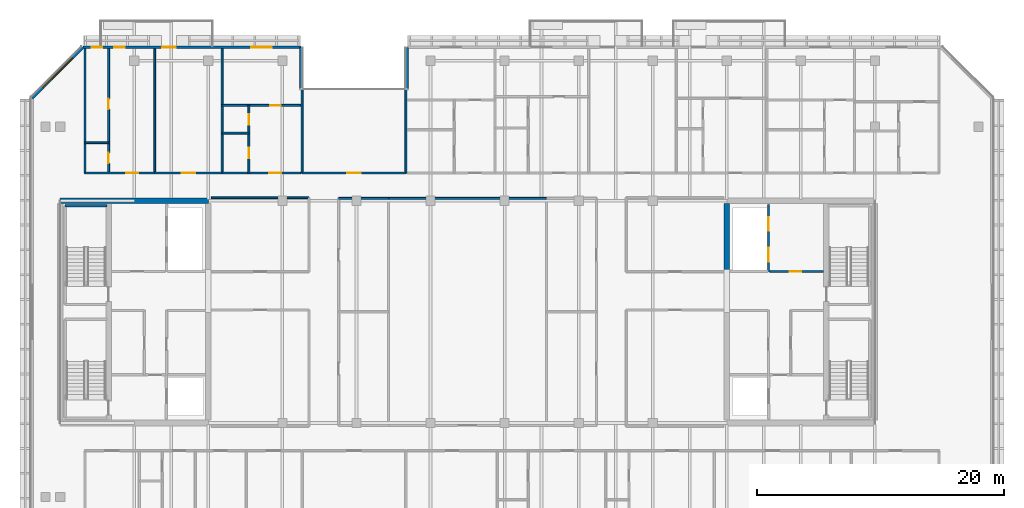
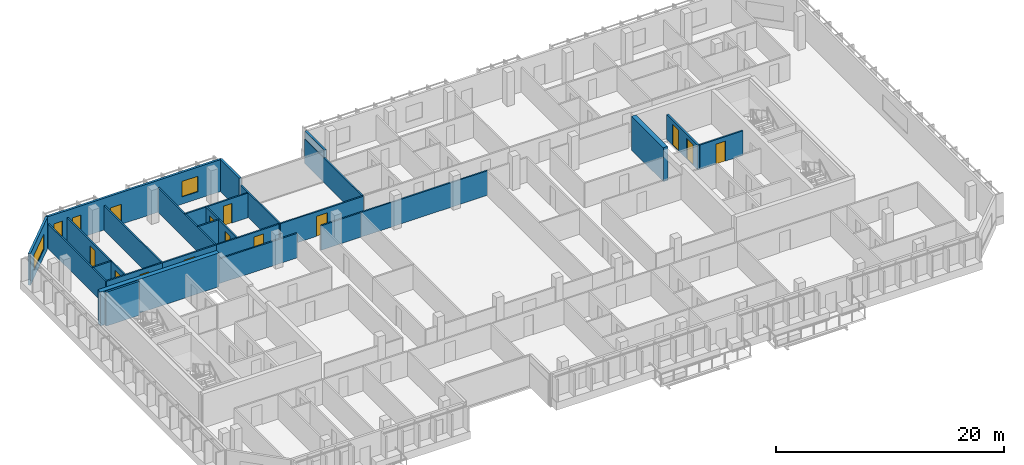
# One storey, part 9 of 17: 26 walls, 13 doors, 4 windows, 17 openings.
"""IFC4 building model written with IfcOpenShell, lengths in metres."""

from ifc_helpers import new_model, si_unit, direction, frame, frame_2d, origin, place, context, subcontext, project, spatial, rectangle, extrude, material, layer, layer_set, type_object, element, fill, save


model = new_model("IFC4")

# Units and contexts
model_context = context("Model", 3, precision=1e-05, world=origin(), true_north=direction((0.0, 1.0)))
body_context = subcontext(model_context, "Body", "Model", "MODEL_VIEW")
ifc_project = project(units=[si_unit("LENGTHUNIT", "METRE"), si_unit("AREAUNIT", "SQUARE_METRE"), si_unit("VOLUMEUNIT", "CUBIC_METRE"), si_unit("PLANEANGLEUNIT", "RADIAN"), si_unit("MASSUNIT", "GRAM", prefix="KILO")], contexts=[model_context])

# Site, building, storey
site_placement = place(None, origin())
site = spatial("IfcSite", under=ifc_project, at=site_placement, CompositionType="ELEMENT")
building_placement = place(site_placement, origin())
building = spatial("IfcBuilding", under=site, at=building_placement, Name="Tanjung Sevakor Pilgrim Tower", CompositionType="ELEMENT")
storey_placement = place(building_placement, frame((0.0, 0.0, 219.1201171875)))
storey = spatial("IfcBuildingStorey", under=building, at=storey_placement, Name="L61", CompositionType="ELEMENT", Elevation=219.1201171875)

# Walls
ifc_material_1 = material(Name="Concrete C60/75", Category="concrete")
ifc_layer_1 = layer(ifc_material_1, 0.449951171875)
ifc_layer_set_1 = layer_set([ifc_layer_1], Name="WALL-CW-450")
wall_type_1 = type_object("IfcWallType", Name="WALL-CW-450", PredefinedType="SHEAR", material=ifc_layer_set_1)
wall_1_placement = place(storey_placement, frame((36.0, 42.60009765625, 0.0), z_axis=(0.0, 0.0, 1.0), x_axis=(-1.0, 0.0, 0.0)))
element("IfcWall", 1, at=wall_1_placement, inside=storey, type_object=wall_type_1, Name="L61 W Core North Shear Wall", PredefinedType="SHEAR", context=body_context, shape_type="SweptSolid", body=[
    extrude(rectangle(XDim=12.0, YDim=0.449951171875, at=frame_2d((6.0, 0.0))), origin(), (0.0, 0.0, 1.0), 3.6298828125),
])
wall_2_placement = place(storey_placement, frame((78.0, 36.800048828125, 0.0), z_axis=(0.0, 0.0, 1.0), x_axis=(0.0, 1.0, 0.0)))
element("IfcWall", 2, at=wall_2_placement, inside=storey, type_object=wall_type_1, Name="L61 E Core Inner Shear Wall North", PredefinedType="SHEAR", context=body_context, shape_type="SweptSolid", body=[
    extrude(rectangle(XDim=5.574951171875, YDim=0.449951171875, at=frame_2d((2.78759765625, 0.0))), origin(), (0.0, 0.0, 1.0), 3.6298828125),
])

# Wall, opening, door
ifc_material_2 = material(Name="Concrete C40/50", Category="concrete")
ifc_layer_2 = layer(ifc_material_2, 0.14990234375)
ifc_layer_set_2 = layer_set([ifc_layer_2], Name="WT-COMP-150")
wall_type_2 = type_object("IfcWallType", Name="WT-COMP-150", PredefinedType="SOLIDWALL", material=ifc_layer_set_2)
wall_3_placement = place(storey_placement, frame((81.5, 36.8798828125, 0.0), z_axis=(0.0, 0.0, 1.0), x_axis=(1.0, 0.0, 0.0)))
wall_3 = element("IfcWall", 3, at=wall_3_placement, inside=storey, type_object=wall_type_2, Name="L61 Partition IW-L61-016", PredefinedType="SOLIDWALL", context=body_context, shape_type="SweptSolid", body=[
    extrude(rectangle(XDim=4.330078125, YDim=0.14990234375, at=frame_2d((2.1650390625, 0.0))), origin(), (0.0, 0.0, 1.0), 2.6298828125),
])
opening_1_placement = place(wall_3_placement, frame((1.60009765625, 0.0, 0.0)))
opening_1 = element("IfcOpeningElement", 4, at=opening_1_placement, cuts=wall_3, Name="Opening ID-FD2", PredefinedType="OPENING", context=body_context, shape_type="SweptSolid", body=[
    extrude(rectangle(XDim=0.949951171875, YDim=2.14990234375, at=frame_2d((0.47509765625, 1.074951171875))), frame((0.0, 0.0849609375, 0.0), z_axis=(0.0, -1.0, 0.0), x_axis=(1.0, 0.0, 0.0)), (0.0, 0.0, 1.0), 0.169921875),
])
ifc_material_3 = material(Name="Fire-Rated Timber", Category="wood")
door_type_1 = type_object("IfcDoorType", Name="DT-FIRE-950", OperationType="NOTDEFINED", PredefinedType="DOOR", material=ifc_material_3)
door_1_placement = place(opening_1_placement, origin())
door_1 = element("IfcDoor", 5, at=door_1_placement, inside=storey, type_object=door_type_1, Name="L61 Core Prayer Room Door", OperationType="SINGLE_SWING_LEFT", OverallHeight=2.14990234375, OverallWidth=0.949951171875, PredefinedType="DOOR", context=body_context, shape_type="SweptSolid", body=[
    extrude(rectangle(XDim=0.949951171875, YDim=2.14990234375, at=frame_2d((0.47509765625, 1.074951171875))), frame((0.0, 0.02490234375, 0.0), z_axis=(0.0, -1.0, 0.0), x_axis=(1.0, 0.0, 0.0)), (0.0, 0.0, 1.0), 0.050048828125),
])
fill(opening_1, door_1)

# Walls
wall_4_placement = place(storey_placement, frame((36.2451171875, 42.85009765625, 0.0), z_axis=(0.0, 0.0, 1.0), x_axis=(1.0, 0.0, 0.0)))
element("IfcWall", 6, at=wall_4_placement, inside=storey, type_object=wall_type_2, Name="L61 Partition IW-L61-023", PredefinedType="SOLIDWALL", context=body_context, shape_type="SweptSolid", body=[
    extrude(rectangle(XDim=7.90478515625, YDim=0.14990234375, at=frame_2d((3.952392578125, 0.0))), origin(), (0.0, 0.0, 1.0), 2.6298828125),
])
wall_5_placement = place(storey_placement, frame((46.550048828125, 42.800048828125, 0.0), z_axis=(0.0, 0.0, 1.0), x_axis=(1.0, 0.0, 0.0)))
element("IfcWall", 7, at=wall_5_placement, inside=storey, type_object=wall_type_2, Name="L61 Partition IW-L61-034", PredefinedType="SOLIDWALL", context=body_context, shape_type="SweptSolid", body=[
    extrude(rectangle(XDim=4.050048828125, YDim=0.14990234375, at=frame_2d((2.02490234375, 0.0))), origin(), (0.0, 0.0, 1.0), 2.6298828125),
])
wall_6_placement = place(storey_placement, frame((50.60009765625, 42.800048828125, 0.0), z_axis=(0.0, 0.0, 1.0), x_axis=(1.0, 0.0, 0.0)))
element("IfcWall", 8, at=wall_6_placement, inside=storey, type_object=wall_type_2, Name="L61 Partition IW-L61-037", PredefinedType="SOLIDWALL", context=body_context, shape_type="SweptSolid", body=[
    extrude(rectangle(XDim=12.7998046875, YDim=0.14990234375, at=frame_2d((6.39990234375, 0.0))), origin(), (0.0, 0.0, 1.0), 2.6298828125),
])

# Wall, opening, door
wall_7_placement = place(storey_placement, frame((43.60009765625, 44.85009765625, 0.0), z_axis=(0.0, 0.0, 1.0), x_axis=(1.0, 0.0, 0.0)))
wall_7 = element("IfcWall", 9, at=wall_7_placement, inside=storey, type_object=wall_type_2, Name="L61 Partition IW-L61-048", PredefinedType="SOLIDWALL", context=body_context, shape_type="SweptSolid", body=[
    extrude(rectangle(XDim=8.39990234375, YDim=0.14990234375, at=frame_2d((4.199951171875, 0.0))), origin(), (0.0, 0.0, 1.0), 2.6298828125),
])
opening_2_placement = place(wall_7_placement, frame((3.64990234375, 0.0, 0.0)))
opening_2 = element("IfcOpeningElement", 10, at=opening_2_placement, cuts=wall_7, Name="Opening ID-RM2", PredefinedType="OPENING", context=body_context, shape_type="SweptSolid", body=[
    extrude(rectangle(XDim=1.10009765625, YDim=2.14990234375, at=frame_2d((0.550048828125, 1.074951171875))), frame((0.0, 0.0849609375, 0.0), z_axis=(0.0, -1.0, 0.0), x_axis=(1.0, 0.0, 0.0)), (0.0, 0.0, 1.0), 0.169921875),
])
ifc_material_4 = material(Name="Hardwood Timber", Category="wood")
door_type_2 = type_object("IfcDoorType", Name="DT-INT-1100", OperationType="NOTDEFINED", PredefinedType="DOOR", material=ifc_material_4)
door_2_placement = place(opening_2_placement, origin())
door_2 = element("IfcDoor", 11, at=door_2_placement, inside=storey, type_object=door_type_2, Name="L61 North Cleft Seminar Room Door", OperationType="SINGLE_SWING_RIGHT", OverallHeight=2.14990234375, OverallWidth=1.10009765625, PredefinedType="DOOR", context=body_context, shape_type="SweptSolid", body=[
    extrude(rectangle(XDim=1.10009765625, YDim=2.14990234375, at=frame_2d((0.550048828125, 1.074951171875))), frame((0.0, 0.02490234375, 0.0), z_axis=(0.0, -1.0, 0.0), x_axis=(1.0, 0.0, 0.0)), (0.0, 0.0, 1.0), 0.050048828125),
])
fill(opening_2, door_2)

# Walls
for number, where, z_axis, x_axis, name in (
    (12, (43.60009765625, 44.85009765625, 0.0), (0.0, 0.0, 1.0), (0.0, 1.0, 0.0), "L61 Partition IW-L61-049"),
    (13, (52.0, 44.85009765625, 0.0), (0.0, 0.0, 1.0), (0.0, 1.0, 0.0), "L61 Partition IW-L61-050"),
    (14, (26.0, 44.85009765625, 0.0), (0.0, 0.0, 1.0), (0.0, 1.0, 0.0), "L61 Partition IW-L61-080"),
    (15, (31.65380859375, 44.85009765625, 0.0), (0.0, 0.0, 1.0), (0.0, 1.0, 0.0), "L61 Partition IW-L61-081"),
):
    element("IfcWall", number, at=place(storey_placement, frame(where, z_axis=z_axis, x_axis=x_axis)), inside=storey, type_object=wall_type_2, Name=name, PredefinedType="SOLIDWALL", context=body_context, shape_type="SweptSolid", body=[
        extrude(rectangle(XDim=10.079833984375, YDim=0.14990234375, at=frame_2d((5.0400390625, 0.0))), origin(), (0.0, 0.0, 1.0), 2.6298828125),
    ])

# Wall, opening, door
wall_8_placement = place(storey_placement, frame((26.0, 44.85009765625, 0.0), z_axis=(0.0, 0.0, 1.0), x_axis=(1.0, 0.0, 0.0)))
wall_8 = element("IfcWall", 16, at=wall_8_placement, inside=storey, type_object=wall_type_2, Name="L61 Partition IW-L61-084", PredefinedType="SOLIDWALL", context=body_context, shape_type="SweptSolid", body=[
    extrude(rectangle(XDim=5.65380859375, YDim=0.14990234375, at=frame_2d((2.826904296875, 0.0))), origin(), (0.0, 0.0, 1.0), 2.6298828125),
])
opening_3_placement = place(wall_8_placement, frame((3.35302734375, 0.0, 0.0)))
opening_3 = element("IfcOpeningElement", 17, at=opening_3_placement, cuts=wall_8, Name="Opening ID-FD2", PredefinedType="OPENING", context=body_context, shape_type="SweptSolid", body=[
    extrude(rectangle(XDim=0.949951171875, YDim=2.14990234375, at=frame_2d((0.47509765625, 1.074951171875))), frame((0.0, 0.0849609375, 0.0), z_axis=(0.0, -1.0, 0.0), x_axis=(1.0, 0.0, 0.0)), (0.0, 0.0, 1.0), 0.169921875),
])
door_3_placement = place(opening_3_placement, origin())
door_3 = element("IfcDoor", 18, at=door_3_placement, inside=storey, type_object=door_type_1, Name="Hotel Guestroom Entrance", OperationType="SINGLE_SWING_LEFT", OverallHeight=2.14990234375, OverallWidth=0.949951171875, PredefinedType="DOOR", context=body_context, shape_type="SweptSolid", body=[
    extrude(rectangle(XDim=0.949951171875, YDim=2.14990234375, at=frame_2d((0.47509765625, 1.074951171875))), frame((0.0, 0.02490234375, 0.0), z_axis=(0.0, -1.0, 0.0), x_axis=(1.0, 0.0, 0.0)), (0.0, 0.0, 1.0), 0.050048828125),
])
fill(opening_3, door_3)

# Wall
wall_9_placement = place(storey_placement, frame((37.119384765625, 44.85009765625, 0.0), z_axis=(0.0, 0.0, 1.0), x_axis=(0.0, 1.0, 0.0)))
element("IfcWall", 19, at=wall_9_placement, inside=storey, type_object=wall_type_2, Name="L61 Partition IW-L61-085", PredefinedType="SOLIDWALL", context=body_context, shape_type="SweptSolid", body=[
    extrude(rectangle(XDim=10.079833984375, YDim=0.14990234375, at=frame_2d((5.0400390625, 0.0))), origin(), (0.0, 0.0, 1.0), 2.6298828125),
])

# Wall, opening, door
wall_10_placement = place(storey_placement, frame((31.65380859375, 44.85009765625, 0.0), z_axis=(0.0, 0.0, 1.0), x_axis=(1.0, 0.0, 0.0)))
wall_10 = element("IfcWall", 20, at=wall_10_placement, inside=storey, type_object=wall_type_2, Name="L61 Partition IW-L61-086", PredefinedType="SOLIDWALL", context=body_context, shape_type="SweptSolid", body=[
    extrude(rectangle(XDim=5.465576171875, YDim=0.14990234375, at=frame_2d((2.73291015625, 0.0))), origin(), (0.0, 0.0, 1.0), 2.6298828125),
])
opening_4_placement = place(wall_10_placement, frame((2.1826171875, 0.0, 0.0)))
opening_4 = element("IfcOpeningElement", 21, at=opening_4_placement, cuts=wall_10, Name="Opening ID-FD0", PredefinedType="OPENING", context=body_context, shape_type="SweptSolid", body=[
    extrude(rectangle(XDim=1.10009765625, YDim=2.14990234375, at=frame_2d((0.550048828125, 1.074951171875))), frame((0.0, 0.0849609375, 0.0), z_axis=(0.0, -1.0, 0.0), x_axis=(1.0, 0.0, 0.0)), (0.0, 0.0, 1.0), 0.169921875),
])
ifc_material_5 = material(Name="Fire-Rated Steel S355J2", Category="steel")
door_type_3 = type_object("IfcDoorType", Name="DT-FIRE-1100", OperationType="NOTDEFINED", PredefinedType="DOOR", material=ifc_material_5)
door_4_placement = place(opening_4_placement, origin())
door_4 = element("IfcDoor", 22, at=door_4_placement, inside=storey, type_object=door_type_3, Name="Seminar Room Door", OperationType="SINGLE_SWING_RIGHT", OverallHeight=2.14990234375, OverallWidth=1.10009765625, PredefinedType="DOOR", context=body_context, shape_type="SweptSolid", body=[
    extrude(rectangle(XDim=1.10009765625, YDim=2.14990234375, at=frame_2d((0.550048828125, 1.074951171875))), frame((0.0, 0.02490234375, 0.0), z_axis=(0.0, -1.0, 0.0), x_axis=(1.0, 0.0, 0.0)), (0.0, 0.0, 1.0), 0.050048828125),
])
fill(opening_4, door_4)

wall_11_placement = place(storey_placement, frame((37.119384765625, 44.85009765625, 0.0), z_axis=(0.0, 0.0, 1.0), x_axis=(1.0, 0.0, 0.0)))
wall_11 = element("IfcWall", 23, at=wall_11_placement, inside=storey, type_object=wall_type_2, Name="L61 Partition IW-L61-090", PredefinedType="SOLIDWALL", context=body_context, shape_type="SweptSolid", body=[
    extrude(rectangle(XDim=6.360595703125, YDim=0.14990234375, at=frame_2d((3.18017578125, 0.0))), origin(), (0.0, 0.0, 1.0), 2.6298828125),
])
opening_5_placement = place(wall_11_placement, frame((3.82666015625, 0.0, 0.0)))
opening_5 = element("IfcOpeningElement", 24, at=opening_5_placement, cuts=wall_11, Name="Opening ID-FD2", PredefinedType="OPENING", context=body_context, shape_type="SweptSolid", body=[
    extrude(rectangle(XDim=0.949951171875, YDim=2.14990234375, at=frame_2d((0.47509765625, 1.074951171875))), frame((0.0, 0.0849609375, 0.0), z_axis=(0.0, -1.0, 0.0), x_axis=(1.0, 0.0, 0.0)), (0.0, 0.0, 1.0), 0.169921875),
])
door_5_placement = place(opening_5_placement, origin())
door_5 = element("IfcDoor", 25, at=door_5_placement, inside=storey, type_object=door_type_1, Name="Residence Entrance", OperationType="SINGLE_SWING_RIGHT", OverallHeight=2.14990234375, OverallWidth=0.949951171875, PredefinedType="DOOR", context=body_context, shape_type="SweptSolid", body=[
    extrude(rectangle(XDim=0.949951171875, YDim=2.14990234375, at=frame_2d((0.47509765625, 1.074951171875))), frame((0.0, 0.02490234375, 0.0), z_axis=(0.0, -1.0, 0.0), x_axis=(1.0, 0.0, 0.0)), (0.0, 0.0, 1.0), 0.050048828125),
])
fill(opening_5, door_5)

# Walls
ifc_material_6 = material(Name="Precast concrete C45/55", Category="concrete")
ifc_layer_3 = layer(ifc_material_6, 0.219970703125)
ifc_layer_set_3 = layer_set([ifc_layer_3], Name="WT-EW-STN4")
wall_type_3 = type_object("IfcWallType", Name="WT-EW-STN4", PredefinedType="SOLIDWALL", material=ifc_layer_set_3)
for number, where, z_axis, x_axis, name in (
    (26, (52.110107421875, 55.0400390625, 0.0), (0.0, 0.0, 1.0), (0.0, -1.0, 0.0), "L61 MAIN Exterior Wall 10"),
    (27, (43.489990234375, 51.639892578125, 0.0), (0.0, 0.0, 1.0), (0.0, 1.0, 0.0), "L61 MAIN Exterior Wall 12"),
):
    element("IfcWall", number, at=place(storey_placement, frame(where, z_axis=z_axis, x_axis=x_axis)), inside=storey, type_object=wall_type_3, Name=name, PredefinedType="SOLIDWALL", context=body_context, shape_type="SweptSolid", body=[
        extrude(rectangle(XDim=3.400146484375, YDim=0.219970703125, at=frame_2d((1.7001953125, 0.0))), origin(), (0.0, 0.0, 1.0), 3.409912109375),
    ])

# Wall, openings, door, windows
wall_12_placement = place(storey_placement, frame((43.489990234375, 55.0400390625, 0.0), z_axis=(0.0, 0.0, 1.0), x_axis=(-1.0, 0.0, 0.0)))
wall_12 = element("IfcWall", 28, at=wall_12_placement, inside=storey, type_object=wall_type_3, Name="L61 MAIN Exterior Wall 13", PredefinedType="SOLIDWALL", context=body_context, shape_type="SweptSolid", body=[
    extrude(rectangle(XDim=17.644287109375, YDim=0.219970703125, at=frame_2d((8.822265625, 0.0))), origin(), (0.0, 0.0, 1.0), 3.409912109375),
])
opening_6_placement = place(wall_12_placement, frame((10.139892578125, 0.0, 0.0)))
opening_6 = element("IfcOpeningElement", 29, at=opening_6_placement, cuts=wall_12, Name="Opening ED-BAL-1100", PredefinedType="OPENING", context=body_context, shape_type="SweptSolid", body=[
    extrude(rectangle(XDim=1.10009765625, YDim=2.14990234375, at=frame_2d((0.550048828125, 1.074951171875))), frame((0.0, 0.119873046875, 0.0), z_axis=(0.0, -1.0, 0.0), x_axis=(1.0, 0.0, 0.0)), (0.0, 0.0, 1.0), 0.239990234375),
])
opening_7_placement = place(wall_12_placement, frame((16.09375, 0.0, 0.780029296875)))
opening_7 = element("IfcOpeningElement", 30, at=opening_7_placement, cuts=wall_12, Name="Opening WN-SLM", PredefinedType="OPENING", context=body_context, shape_type="SweptSolid", body=[
    extrude(rectangle(XDim=0.85009765625, YDim=1.64990234375, at=frame_2d((0.425048828125, 0.824951171875))), frame((0.0, 0.119873046875, 0.0), z_axis=(0.0, -1.0, 0.0), x_axis=(1.0, 0.0, 0.0)), (0.0, 0.0, 1.0), 0.239990234375),
])
opening_8_placement = place(wall_12_placement, frame((14.246826171875, 0.0, 0.780029296875)))
opening_8 = element("IfcOpeningElement", 31, at=opening_8_placement, cuts=wall_12, Name="Opening WN-SLM", PredefinedType="OPENING", context=body_context, shape_type="SweptSolid", body=[
    extrude(rectangle(XDim=0.85009765625, YDim=1.64990234375, at=frame_2d((0.425048828125, 0.824951171875))), frame((0.0, 0.119873046875, 0.0), z_axis=(0.0, -1.0, 0.0), x_axis=(1.0, 0.0, 0.0)), (0.0, 0.0, 1.0), 0.239990234375),
])
opening_9_placement = place(wall_12_placement, frame((2.365478515625, 0.0, 0.780029296875)))
opening_9 = element("IfcOpeningElement", 32, at=opening_9_placement, cuts=wall_12, Name="Opening WN-Z4-1660", PredefinedType="OPENING", context=body_context, shape_type="SweptSolid", body=[
    extrude(rectangle(XDim=1.64990234375, YDim=1.659912109375, at=frame_2d((0.824951171875, 0.830078125))), frame((0.0, 0.119873046875, 0.0), z_axis=(0.0, -1.0, 0.0), x_axis=(1.0, 0.0, 0.0)), (0.0, 0.0, 1.0), 0.239990234375),
])
ifc_material_7 = material(Name="Anodised Aluminium and Laminated Glass", Category="aluminium")
door_type_4 = type_object("IfcDoorType", Name="DTYP-ED-BAL-1100", OperationType="NOTDEFINED", PredefinedType="DOOR", material=ifc_material_7)
door_6_placement = place(opening_6_placement, frame((1.10009765625, 0.0, 0.0), z_axis=(0.0, 0.0, 1.0), x_axis=(-1.0, 0.0, 0.0)))
door_6 = element("IfcDoor", 33, at=door_6_placement, inside=storey, type_object=door_type_4, Name="L61 Balcony Door MAIN-N1", OperationType="SINGLE_SWING_RIGHT", OverallHeight=2.14990234375, OverallWidth=1.10009765625, PredefinedType="DOOR", context=body_context, shape_type="SweptSolid", body=[
    extrude(rectangle(XDim=1.10009765625, YDim=2.14990234375, at=frame_2d((0.550048828125, 1.074951171875))), frame((0.0, 0.02490234375, 0.0), z_axis=(0.0, -1.0, 0.0), x_axis=(1.0, 0.0, 0.0)), (0.0, 0.0, 1.0), 0.050048828125),
])
fill(opening_6, door_6)
ifc_material_8 = material(Name="Thermally Broken Aluminium and Low-E Glass", Category="aluminium")
window_type_1 = type_object("IfcWindowType", Name="WTYP-WN-SLM", PartitioningType="SINGLE_PANEL", PredefinedType="WINDOW", material=ifc_material_8)
window_1_placement = place(opening_7_placement, origin())
window_1 = element("IfcWindow", 34, at=window_1_placement, inside=storey, type_object=window_type_1, Name="L61 Facade Window 01", OverallHeight=1.64990234375, OverallWidth=0.85009765625, PartitioningType="SINGLE_PANEL", PredefinedType="WINDOW", context=body_context, shape_type="SweptSolid", body=[
    extrude(rectangle(XDim=0.85009765625, YDim=1.64990234375, at=frame_2d((0.425048828125, 0.824951171875))), frame((0.0, 0.030029296875, 0.0), z_axis=(0.0, -1.0, 0.0), x_axis=(1.0, 0.0, 0.0)), (0.0, 0.0, 1.0), 0.06005859375),
])
fill(opening_7, window_1)
window_2_placement = place(opening_8_placement, origin())
window_2 = element("IfcWindow", 35, at=window_2_placement, inside=storey, type_object=window_type_1, Name="L61 Facade Window 02", OverallHeight=1.64990234375, OverallWidth=0.85009765625, PartitioningType="SINGLE_PANEL", PredefinedType="WINDOW", context=body_context, shape_type="SweptSolid", body=[
    extrude(rectangle(XDim=0.85009765625, YDim=1.64990234375, at=frame_2d((0.425048828125, 0.824951171875))), frame((0.0, 0.030029296875, 0.0), z_axis=(0.0, -1.0, 0.0), x_axis=(1.0, 0.0, 0.0)), (0.0, 0.0, 1.0), 0.06005859375),
])
fill(opening_8, window_2)
ifc_material_9 = material(Name="Thermally Broken Aluminium and Low-E Glass", Category="aluminium")
window_type_2 = type_object("IfcWindowType", Name="WTYP-WN-Z4-1660", PartitioningType="DOUBLE_PANEL_VERTICAL", PredefinedType="WINDOW", material=ifc_material_9)
window_3_placement = place(opening_9_placement, origin())
window_3 = element("IfcWindow", 36, at=window_3_placement, inside=storey, type_object=window_type_2, Name="L61 Facade Window 03", OverallHeight=1.659912109375, OverallWidth=1.64990234375, PartitioningType="SINGLE_PANEL", PredefinedType="WINDOW", context=body_context, shape_type="SweptSolid", body=[
    extrude(rectangle(XDim=1.64990234375, YDim=1.659912109375, at=frame_2d((0.824951171875, 0.830078125))), frame((0.0, 0.030029296875, 0.0), z_axis=(0.0, -1.0, 0.0), x_axis=(1.0, 0.0, 0.0)), (0.0, 0.0, 1.0), 0.06005859375),
])
fill(opening_9, window_3)

# Wall, opening, window
wall_13_placement = place(storey_placement, frame((25.845703125, 55.0400390625, 0.0), z_axis=(0.0, 0.0, 1.0), x_axis=(-0.707106781187, -0.707106781187, 0.0)))
wall_13 = element("IfcWall", 37, at=wall_13_placement, inside=storey, type_object=wall_type_3, Name="L61 MAIN Sculpted Corner Wall 13", PredefinedType="SOLIDWALL", context=body_context, shape_type="SweptSolid", body=[
    extrude(rectangle(XDim=5.848876953125, YDim=0.219970703125, at=frame_2d((2.92431640625, 0.0))), origin(), (0.0, 0.0, 1.0), 3.409912109375),
])
opening_10_placement = place(wall_13_placement, frame((1.224365234375, 0.0, 0.780029296875)))
opening_10 = element("IfcOpeningElement", 38, at=opening_10_placement, cuts=wall_13, Name="Opening WN-CHM-1660", PredefinedType="OPENING", context=body_context, shape_type="SweptSolid", body=[
    extrude(rectangle(XDim=3.39990234375, YDim=1.659912109375, at=frame_2d((1.699951171875, 0.830078125))), frame((0.0, 0.119873046875, 0.0), z_axis=(0.0, -1.0, 0.0), x_axis=(1.0, 0.0, 0.0)), (0.0, 0.0, 1.0), 0.239990234375),
])
ifc_material_10 = material(Name="Thermally Broken Aluminium and Low-E Glass", Category="aluminium")
window_type_3 = type_object("IfcWindowType", Name="WTYP-WN-CHM-1660", PartitioningType="DOUBLE_PANEL_VERTICAL", PredefinedType="WINDOW", material=ifc_material_10)
window_4_placement = place(opening_10_placement, origin())
window_4 = element("IfcWindow", 39, at=window_4_placement, inside=storey, type_object=window_type_3, Name="L61 Facade Window 01", OverallHeight=1.659912109375, OverallWidth=3.39990234375, PartitioningType="SINGLE_PANEL", PredefinedType="WINDOW", context=body_context, shape_type="SweptSolid", body=[
    extrude(rectangle(XDim=3.39990234375, YDim=1.659912109375, at=frame_2d((1.699951171875, 0.830078125))), frame((0.0, 0.030029296875, 0.0), z_axis=(0.0, -1.0, 0.0), x_axis=(1.0, 0.0, 0.0)), (0.0, 0.0, 1.0), 0.06005859375),
])
fill(opening_10, window_4)

# Wall
ifc_material_11 = material(Name="Concrete C40/50", Category="concrete")
ifc_layer_4 = layer(ifc_material_11, 0.199951171875)
ifc_layer_set_4 = layer_set([ifc_layer_4], Name="WT-FIRE-200")
wall_type_4 = type_object("IfcWallType", Name="WT-FIRE-200", PredefinedType="SOLIDWALL", material=ifc_layer_set_4)
wall_14_placement = place(storey_placement, frame((27.800048828125, 42.199951171875, 0.0), z_axis=(0.0, 0.0, 1.0), x_axis=(-1.0, 0.0, 0.0)))
element("IfcWall", 40, at=wall_14_placement, inside=storey, type_object=wall_type_4, Name="L61 TS-W2 Shaft Wall 2", PredefinedType="SOLIDWALL", context=body_context, shape_type="SweptSolid", body=[
    extrude(rectangle(XDim=3.400146484375, YDim=0.199951171875, at=frame_2d((1.7001953125, 0.0))), origin(), (0.0, 0.0, 1.0), 3.6298828125),
])

# Wall, openings, doors
ifc_material_12 = material(Name="Concrete C40/50", Category="concrete")
ifc_layer_5 = layer(ifc_material_12, 0.199951171875)
ifc_layer_set_5 = layer_set([ifc_layer_5], Name="WT-FPRT-200")
wall_type_5 = type_object("IfcWallType", Name="WT-FPRT-200", PredefinedType="SOLIDWALL", material=ifc_layer_set_5)
wall_15_placement = place(storey_placement, frame((81.3798828125, 36.8798828125, 0.0), z_axis=(0.0, 0.0, 1.0), x_axis=(0.0, 1.0, 0.0)))
wall_15 = element("IfcWall", 41, at=wall_15_placement, inside=storey, type_object=wall_type_5, Name="L61 Partition IW-L61-018", PredefinedType="SOLIDWALL", context=body_context, shape_type="SweptSolid", body=[
    extrude(rectangle(XDim=5.420166015625, YDim=0.199951171875, at=frame_2d((2.7099609375, 0.0))), origin(), (0.0, 0.0, 1.0), 2.6298828125),
])
opening_11_placement = place(wall_15_placement, frame((0.800048828125, 0.0, 0.0)))
opening_11 = element("IfcOpeningElement", 42, at=opening_11_placement, cuts=wall_15, Name="Opening LD-1100", PredefinedType="OPENING", context=body_context, shape_type="SweptSolid", body=[
    extrude(rectangle(XDim=1.10009765625, YDim=2.199951171875, at=frame_2d((0.550048828125, 1.10009765625))), frame((0.0, 0.10986328125, 0.0), z_axis=(0.0, -1.0, 0.0), x_axis=(1.0, 0.0, 0.0)), (0.0, 0.0, 1.0), 0.219970703125),
])
opening_12_placement = place(wall_15_placement, frame((3.300048828125, 0.0, 0.0)))
opening_12 = element("IfcOpeningElement", 43, at=opening_12_placement, cuts=wall_15, Name="Opening LD-1100", PredefinedType="OPENING", context=body_context, shape_type="SweptSolid", body=[
    extrude(rectangle(XDim=1.10009765625, YDim=2.199951171875, at=frame_2d((0.550048828125, 1.10009765625))), frame((0.0, 0.10986328125, 0.0), z_axis=(0.0, -1.0, 0.0), x_axis=(1.0, 0.0, 0.0)), (0.0, 0.0, 1.0), 0.219970703125),
])
ifc_material_13 = material(Name="Brushed Stainless Steel S355J2", Category="steel")
door_type_5 = type_object("IfcDoorType", Name="DT-LIFT-1100", OperationType="SLIDING_TO_LEFT", PredefinedType="DOOR", material=ifc_material_13)
door_7_placement = place(opening_11_placement, origin())
door_7 = element("IfcDoor", 44, at=door_7_placement, inside=storey, type_object=door_type_5, Name="LD-PLH1-E", OperationType="SLIDING_TO_LEFT", OverallHeight=2.199951171875, OverallWidth=1.10009765625, PredefinedType="DOOR", context=body_context, shape_type="SweptSolid", body=[
    extrude(rectangle(XDim=1.10009765625, YDim=2.199951171875, at=frame_2d((0.550048828125, 1.10009765625))), frame((0.0, 0.02490234375, 0.0), z_axis=(0.0, -1.0, 0.0), x_axis=(1.0, 0.0, 0.0)), (0.0, 0.0, 1.0), 0.050048828125),
])
fill(opening_11, door_7)
door_8_placement = place(opening_12_placement, origin())
door_8 = element("IfcDoor", 45, at=door_8_placement, inside=storey, type_object=door_type_5, Name="LD-PLH2-E", OperationType="SLIDING_TO_RIGHT", OverallHeight=2.199951171875, OverallWidth=1.10009765625, PredefinedType="DOOR", context=body_context, shape_type="SweptSolid", body=[
    extrude(rectangle(XDim=1.10009765625, YDim=2.199951171875, at=frame_2d((0.550048828125, 1.10009765625))), frame((0.0, 0.02490234375, 0.0), z_axis=(0.0, -1.0, 0.0), x_axis=(1.0, 0.0, 0.0)), (0.0, 0.0, 1.0), 0.050048828125),
])
fill(opening_12, door_8)

# Wall
ifc_material_14 = material(Name="Gypsum Board Partition", Category="gypsum board")
ifc_layer_6 = layer(ifc_material_14, 0.14990234375)
ifc_layer_set_6 = layer_set([ifc_layer_6], Name="WT-PART-150")
wall_type_6 = type_object("IfcWallType", Name="WT-PART-150", PredefinedType="PARTITIONING", material=ifc_layer_set_6)
wall_16_placement = place(storey_placement, frame((26.0, 47.300048828125, 0.0), z_axis=(0.0, 0.0, 1.0), x_axis=(1.0, 0.0, 0.0)))
element("IfcWall", 46, at=wall_16_placement, inside=storey, type_object=wall_type_6, Name="L61 Partition IW-L61-082", PredefinedType="PARTITIONING", context=body_context, shape_type="SweptSolid", body=[
    extrude(rectangle(XDim=1.92236328125, YDim=0.14990234375, at=frame_2d((0.961181640625, 0.0))), origin(), (0.0, 0.0, 1.0), 2.6298828125),
])

# Wall, openings, doors
wall_17_placement = place(storey_placement, frame((27.92236328125, 44.85009765625, 0.0), z_axis=(0.0, 0.0, 1.0), x_axis=(0.0, 1.0, 0.0)))
wall_17 = element("IfcWall", 47, at=wall_17_placement, inside=storey, type_object=wall_type_6, Name="L61 Partition IW-L61-083", PredefinedType="PARTITIONING", context=body_context, shape_type="SweptSolid", body=[
    extrude(rectangle(XDim=10.079833984375, YDim=0.14990234375, at=frame_2d((5.0400390625, 0.0))), origin(), (0.0, 0.0, 1.0), 2.6298828125),
])
opening_13_placement = place(wall_17_placement, frame((0.800048828125, 0.0, 0.0)))
opening_13 = element("IfcOpeningElement", 48, at=opening_13_placement, cuts=wall_17, Name="Opening ID-WC1", PredefinedType="OPENING", context=body_context, shape_type="SweptSolid", body=[
    extrude(rectangle(XDim=0.85009765625, YDim=2.10009765625, at=frame_2d((0.425048828125, 1.050048828125))), frame((0.0, 0.0849609375, 0.0), z_axis=(0.0, -1.0, 0.0), x_axis=(1.0, 0.0, 0.0)), (0.0, 0.0, 1.0), 0.169921875),
])
opening_14_placement = place(wall_17_placement, frame((5.162109375, 0.0, 0.0)))
opening_14 = element("IfcOpeningElement", 49, at=opening_14_placement, cuts=wall_17, Name="Opening ID-WC1", PredefinedType="OPENING", context=body_context, shape_type="SweptSolid", body=[
    extrude(rectangle(XDim=0.85009765625, YDim=2.10009765625, at=frame_2d((0.425048828125, 1.050048828125))), frame((0.0, 0.0849609375, 0.0), z_axis=(0.0, -1.0, 0.0), x_axis=(1.0, 0.0, 0.0)), (0.0, 0.0, 1.0), 0.169921875),
])
ifc_material_15 = material(Name="Moisture-Resistant Timber", Category="wood")
door_type_6 = type_object("IfcDoorType", Name="DT-INT-850", OperationType="NOTDEFINED", PredefinedType="DOOR", material=ifc_material_15)
door_9_placement = place(opening_13_placement, origin())
door_9 = element("IfcDoor", 50, at=door_9_placement, inside=storey, type_object=door_type_6, Name="Bathroom Door", OperationType="SINGLE_SWING_LEFT", OverallHeight=2.10009765625, OverallWidth=0.85009765625, PredefinedType="DOOR", context=body_context, shape_type="SweptSolid", body=[
    extrude(rectangle(XDim=0.85009765625, YDim=2.10009765625, at=frame_2d((0.425048828125, 1.050048828125))), frame((0.0, 0.02490234375, 0.0), z_axis=(0.0, -1.0, 0.0), x_axis=(1.0, 0.0, 0.0)), (0.0, 0.0, 1.0), 0.050048828125),
])
fill(opening_13, door_9)
door_10_placement = place(opening_14_placement, origin())
door_10 = element("IfcDoor", 51, at=door_10_placement, inside=storey, type_object=door_type_6, Name="Study Nook Door", OperationType="SINGLE_SWING_RIGHT", OverallHeight=2.10009765625, OverallWidth=0.85009765625, PredefinedType="DOOR", context=body_context, shape_type="SweptSolid", body=[
    extrude(rectangle(XDim=0.85009765625, YDim=2.10009765625, at=frame_2d((0.425048828125, 1.050048828125))), frame((0.0, 0.02490234375, 0.0), z_axis=(0.0, -1.0, 0.0), x_axis=(1.0, 0.0, 0.0)), (0.0, 0.0, 1.0), 0.050048828125),
])
fill(opening_14, door_10)

# Wall
wall_18_placement = place(storey_placement, frame((37.119384765625, 48.083251953125, 0.0), z_axis=(0.0, 0.0, 1.0), x_axis=(1.0, 0.0, 0.0)))
element("IfcWall", 52, at=wall_18_placement, inside=storey, type_object=wall_type_6, Name="L61 Partition IW-L61-087", PredefinedType="PARTITIONING", context=body_context, shape_type="SweptSolid", body=[
    extrude(rectangle(XDim=2.16259765625, YDim=0.14990234375, at=frame_2d((1.081298828125, 0.0))), origin(), (0.0, 0.0, 1.0), 2.6298828125),
])

# Wall, openings, doors
wall_19_placement = place(storey_placement, frame((39.281982421875, 44.85009765625, 0.0), z_axis=(0.0, 0.0, 1.0), x_axis=(0.0, 1.0, 0.0)))
wall_19 = element("IfcWall", 53, at=wall_19_placement, inside=storey, type_object=wall_type_6, Name="L61 Partition IW-L61-088", PredefinedType="PARTITIONING", context=body_context, shape_type="SweptSolid", body=[
    extrude(rectangle(XDim=5.47998046875, YDim=0.14990234375, at=frame_2d((2.739990234375, 0.0))), origin(), (0.0, 0.0, 1.0), 2.6298828125),
])
opening_15_placement = place(wall_19_placement, frame((1.191650390625, 0.0, 0.0)))
opening_15 = element("IfcOpeningElement", 54, at=opening_15_placement, cuts=wall_19, Name="Opening ID-WC1", PredefinedType="OPENING", context=body_context, shape_type="SweptSolid", body=[
    extrude(rectangle(XDim=0.85009765625, YDim=2.10009765625, at=frame_2d((0.425048828125, 1.050048828125))), frame((0.0, 0.0849609375, 0.0), z_axis=(0.0, -1.0, 0.0), x_axis=(1.0, 0.0, 0.0)), (0.0, 0.0, 1.0), 0.169921875),
])
opening_16_placement = place(wall_19_placement, frame((3.931640625, 0.0, 0.0)))
opening_16 = element("IfcOpeningElement", 55, at=opening_16_placement, cuts=wall_19, Name="Opening ID-WC1", PredefinedType="OPENING", context=body_context, shape_type="SweptSolid", body=[
    extrude(rectangle(XDim=0.85009765625, YDim=2.10009765625, at=frame_2d((0.425048828125, 1.050048828125))), frame((0.0, 0.0849609375, 0.0), z_axis=(0.0, -1.0, 0.0), x_axis=(1.0, 0.0, 0.0)), (0.0, 0.0, 1.0), 0.169921875),
])
door_11_placement = place(opening_15_placement, origin())
door_11 = element("IfcDoor", 56, at=door_11_placement, inside=storey, type_object=door_type_6, Name="Residence Kitchenette Door", OperationType="SINGLE_SWING_LEFT", OverallHeight=2.10009765625, OverallWidth=0.85009765625, PredefinedType="DOOR", context=body_context, shape_type="SweptSolid", body=[
    extrude(rectangle(XDim=0.85009765625, YDim=2.10009765625, at=frame_2d((0.425048828125, 1.050048828125))), frame((0.0, 0.02490234375, 0.0), z_axis=(0.0, -1.0, 0.0), x_axis=(1.0, 0.0, 0.0)), (0.0, 0.0, 1.0), 0.050048828125),
])
fill(opening_15, door_11)
door_12_placement = place(opening_16_placement, origin())
door_12 = element("IfcDoor", 57, at=door_12_placement, inside=storey, type_object=door_type_6, Name="Residence Bathroom Door", OperationType="SINGLE_SWING_RIGHT", OverallHeight=2.10009765625, OverallWidth=0.85009765625, PredefinedType="DOOR", context=body_context, shape_type="SweptSolid", body=[
    extrude(rectangle(XDim=0.85009765625, YDim=2.10009765625, at=frame_2d((0.425048828125, 1.050048828125))), frame((0.0, 0.02490234375, 0.0), z_axis=(0.0, -1.0, 0.0), x_axis=(1.0, 0.0, 0.0)), (0.0, 0.0, 1.0), 0.050048828125),
])
fill(opening_16, door_12)

# Wall, opening, door
wall_20_placement = place(storey_placement, frame((37.119384765625, 50.330078125, 0.0), z_axis=(0.0, 0.0, 1.0), x_axis=(1.0, 0.0, 0.0)))
wall_20 = element("IfcWall", 58, at=wall_20_placement, inside=storey, type_object=wall_type_6, Name="L61 Partition IW-L61-089", PredefinedType="PARTITIONING", context=body_context, shape_type="SweptSolid", body=[
    extrude(rectangle(XDim=6.360595703125, YDim=0.14990234375, at=frame_2d((3.18017578125, 0.0))), origin(), (0.0, 0.0, 1.0), 2.6298828125),
])
opening_17_placement = place(wall_20_placement, frame((3.876708984375, 0.0, 0.0)))
opening_17 = element("IfcOpeningElement", 59, at=opening_17_placement, cuts=wall_20, Name="Opening ID-WC1", PredefinedType="OPENING", context=body_context, shape_type="SweptSolid", body=[
    extrude(rectangle(XDim=0.85009765625, YDim=2.10009765625, at=frame_2d((0.425048828125, 1.050048828125))), frame((0.0, 0.0849609375, 0.0), z_axis=(0.0, -1.0, 0.0), x_axis=(1.0, 0.0, 0.0)), (0.0, 0.0, 1.0), 0.169921875),
])
door_13_placement = place(opening_17_placement, origin())
door_13 = element("IfcDoor", 60, at=door_13_placement, inside=storey, type_object=door_type_6, Name="Residence Bedroom Door", OperationType="SINGLE_SWING_LEFT", OverallHeight=2.10009765625, OverallWidth=0.85009765625, PredefinedType="DOOR", context=body_context, shape_type="SweptSolid", body=[
    extrude(rectangle(XDim=0.85009765625, YDim=2.10009765625, at=frame_2d((0.425048828125, 1.050048828125))), frame((0.0, 0.02490234375, 0.0), z_axis=(0.0, -1.0, 0.0), x_axis=(1.0, 0.0, 0.0)), (0.0, 0.0, 1.0), 0.050048828125),
])
fill(opening_17, door_13)

save(model, "model.ifc")
